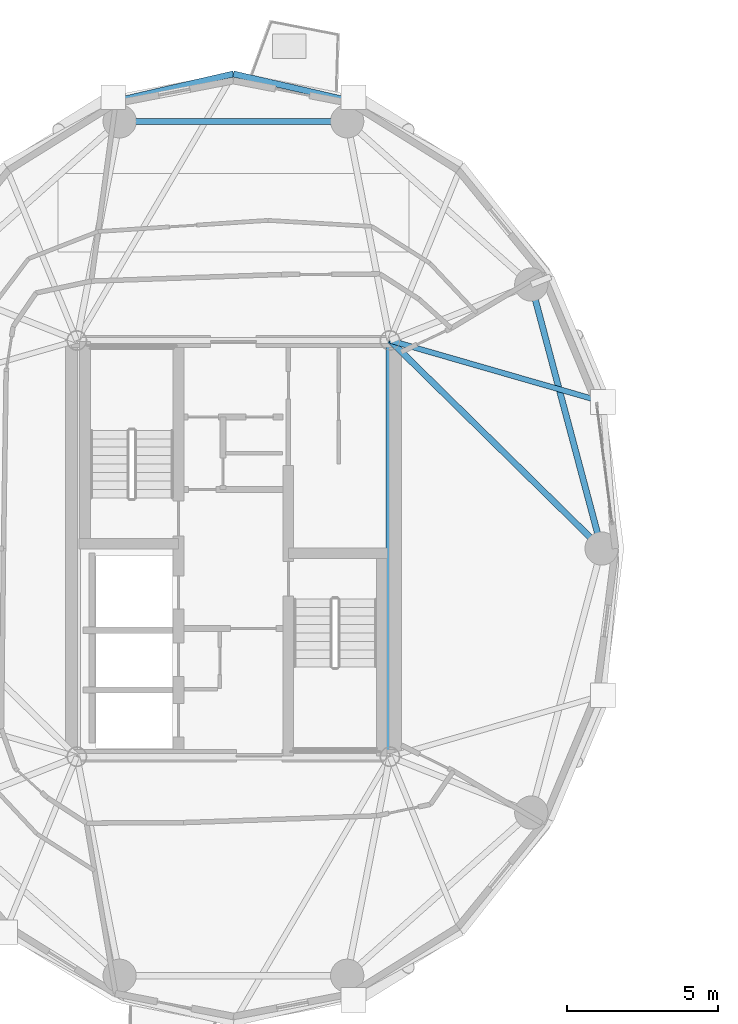
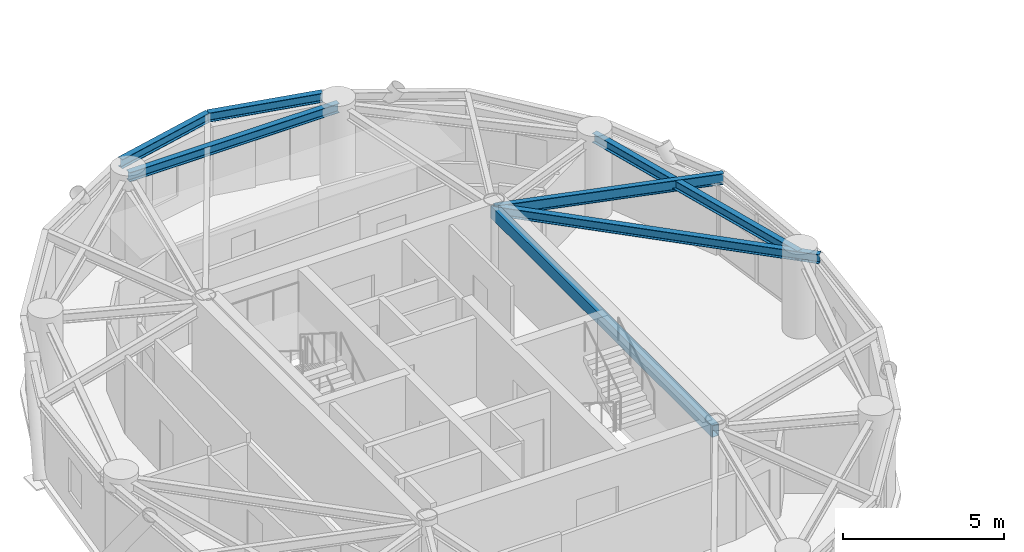
# One storey, part 2 of 16: 7 beams.
"""IFC4 building model written with IfcOpenShell, lengths in metres."""

from ifc_helpers import new_model, si_unit, direction, frame, origin, origin_2d, place, context, subcontext, project, spatial, hollow_rectangle, i_section, extrude, material, material_profile, profile_set, type_object, element, save


model = new_model("IFC4")

# Units and contexts
model_context = context("Model", 3, precision=1e-05, world=origin(), true_north=direction((0.0, 1.0)))
body_context = subcontext(model_context, "Body", "Model", "MODEL_VIEW")
ifc_project = project(units=[si_unit("LENGTHUNIT", "METRE"), si_unit("AREAUNIT", "SQUARE_METRE"), si_unit("VOLUMEUNIT", "CUBIC_METRE"), si_unit("PLANEANGLEUNIT", "RADIAN"), si_unit("MASSUNIT", "GRAM", prefix="KILO")], contexts=[model_context])

# Site, building, storey
site_placement = place(None, origin())
site = spatial("IfcSite", under=ifc_project, at=site_placement, CompositionType="ELEMENT")
building_placement = place(site_placement, origin())
building = spatial("IfcBuilding", under=site, at=building_placement, Name="Cununo Teusaquillo Station Towers", CompositionType="ELEMENT")
storey_placement = place(building_placement, frame((0.0, 0.0, 226.050048828125)))
storey = spatial("IfcBuildingStorey", under=building, at=storey_placement, Name="L72", CompositionType="ELEMENT", Elevation=226.050048828125)

# Beams
ifc_material_1 = material(Name="Steel EN 10025-2 S355J2", Category="steel")
ifc_material_profile_1 = material_profile(ifc_material_1, hollow_rectangle(XDim=0.25, YDim=0.449951171875, WallThickness=0.01611328125, at=origin_2d()), Name="RHS 450x250x16")
ifc_profile_set_1 = profile_set([ifc_material_profile_1], Name="Steel EN 10025-2 S355J2")
beam_type_1 = type_object("IfcBeamType", Name="BM-COUP-1", PredefinedType="USERDEFINED", material=ifc_profile_set_1)
beam_1_placement = place(storey_placement, frame((21.675048828125, 17.6201171875, 2.764892578125), z_axis=(0.0, 1.0, 0.0), x_axis=(-1.0, 0.0, 0.0)))
element("IfcBeam", 1, at=beam_1_placement, inside=storey, type_object=beam_type_1, Name="L72 Tower A Core Beam 2", ObjectType="COUPLING BEAM", PredefinedType="USERDEFINED", context=body_context, shape_type="SweptSolid", body=[
    extrude(hollow_rectangle(XDim=0.25, YDim=0.449951171875, WallThickness=0.01611328125, at=origin_2d()), origin(), (0.0, 0.0, 1.0), 13.759765625),
])
ifc_material_2 = material(Name="Steel ASTM A572 Grade 50", Category="steel")
ifc_material_profile_2 = material_profile(ifc_material_2, i_section(OverallWidth=0.180908203125, OverallDepth=0.4169921875, WebThickness=0.010986328125, FlangeThickness=0.018310546875, FilletRadius=0.012939453125, at=origin_2d()), Name="W16X57")
ifc_profile_set_2 = profile_set([ifc_material_profile_2], Name="Steel ASTM A572 Grade 50")
beam_type_2 = type_object("IfcBeamType", Name="BM-JOIST-1", PredefinedType="JOIST", material=ifc_profile_set_2)
beam_2_placement = place(storey_placement, frame((21.675048828125, 31.3798828125, 2.781494140625), z_axis=(0.960861603375, -0.277028841748, 0.0), x_axis=(0.277028841748, 0.960861603375, 0.0)))
element("IfcBeam", 2, at=beam_2_placement, inside=storey, type_object=beam_type_2, Name="L72 Tower A Radial Spandrel Joist V01", PredefinedType="JOIST", context=body_context, shape_type="SweptSolid", body=[
    extrude(i_section(OverallWidth=0.180908203125, OverallDepth=0.4169921875, WebThickness=0.010986328125, FlangeThickness=0.018310546875, FilletRadius=0.012939453125, at=origin_2d()), origin(), (0.0, 0.0, 1.0), 7.333251953125),
])
ifc_material_3 = material(Name="Steel ASTM A572 Grade 50", Category="steel")
ifc_material_profile_3 = material_profile(ifc_material_3, i_section(OverallWidth=0.2041015625, OverallDepth=0.35009765625, WebThickness=0.008544921875, FlangeThickness=0.01513671875, FilletRadius=0.011962890625, at=origin_2d()), Name="W14X48")
ifc_profile_set_3 = profile_set([ifc_material_profile_3], Name="Steel ASTM A572 Grade 50")
beam_type_3 = type_object("IfcBeamType", Name="BM-RAD-G3", PredefinedType="BEAM", material=ifc_profile_set_3)
beam_3_placement = place(storey_placement, frame((21.675048828125, 31.3798828125, 2.81494140625), z_axis=(0.713043510712, -0.701119784225, 0.0), x_axis=(0.701119784225, 0.713043510712, 0.0)))
element("IfcBeam", 3, at=beam_3_placement, inside=storey, type_object=beam_type_3, Name="L72 Tower A Continuous Overhanging Radial Girder 01", PredefinedType="BEAM", context=body_context, shape_type="SweptSolid", body=[
    extrude(i_section(OverallWidth=0.2041015625, OverallDepth=0.35009765625, WebThickness=0.008544921875, FlangeThickness=0.01513671875, FilletRadius=0.011962890625, at=origin_2d()), origin(), (0.0, 0.0, 1.0), 10.462890625),
])
ifc_material_4 = material(Name="Steel ASTM A572 Grade 50", Category="steel")
ifc_material_profile_4 = material_profile(ifc_material_4, i_section(OverallWidth=0.2041015625, OverallDepth=0.35009765625, WebThickness=0.008544921875, FlangeThickness=0.01513671875, FilletRadius=0.011962890625, at=origin_2d()), Name="W14X48")
ifc_profile_set_4 = profile_set([ifc_material_profile_4], Name="Steel ASTM A572 Grade 50")
beam_type_4 = type_object("IfcBeamType", Name="BM-RING-Z4", PredefinedType="SPANDREL", material=ifc_profile_set_4)
beam_4_placement = place(storey_placement, frame((28.672119140625, 24.5, 2.81494140625), z_axis=(-0.257363196347, 0.966314744359, 0.0), x_axis=(-0.966314744359, -0.257363196347, 0.0)))
element("IfcBeam", 4, at=beam_4_placement, inside=storey, type_object=beam_type_4, Name="L72 Tower A Structural Column Ring Girder 01", PredefinedType="SPANDREL", context=body_context, shape_type="SweptSolid", body=[
    extrude(i_section(OverallWidth=0.2041015625, OverallDepth=0.35009765625, WebThickness=0.008544921875, FlangeThickness=0.01513671875, FilletRadius=0.011962890625, at=origin_2d()), origin(), (0.0, 0.0, 1.0), 9.03271484375),
])
beam_5_placement = place(storey_placement, frame((20.261474609375, 38.623291015625, 2.81494140625), z_axis=(-1.0, 0.0, 0.0), x_axis=(0.0, -1.0, 0.0)))
element("IfcBeam", 5, at=beam_5_placement, inside=storey, type_object=beam_type_4, Name="L72 Tower A Structural Column Ring Girder 03", PredefinedType="SPANDREL", context=body_context, shape_type="SweptSolid", body=[
    extrude(i_section(OverallWidth=0.2041015625, OverallDepth=0.35009765625, WebThickness=0.008544921875, FlangeThickness=0.01513671875, FilletRadius=0.011962890625, at=origin_2d()), origin(), (0.0, 0.0, 1.0), 7.52294921875),
])
for number, where, z_axis, x_axis, name in (
    (6, (20.118896484375, 39.353515625, 2.81494140625), (-0.97431470066, 0.225190728224, 0.0), (-0.225190728224, -0.97431470066, 0.0), "L72 Tower A Spandrel Ring Beam 05"),
    (7, (16.5, 40.18994140625, 2.81494140625), (-0.97431470066, -0.225190728224, 0.0), (0.225190728224, -0.97431470066, 0.0), "L72 Tower A Spandrel Ring Beam 06"),
):
    element("IfcBeam", number, at=place(storey_placement, frame(where, z_axis=z_axis, x_axis=x_axis)), inside=storey, type_object=beam_type_4, Name=name, PredefinedType="SPANDREL", context=body_context, shape_type="SweptSolid", body=[
        extrude(i_section(OverallWidth=0.2041015625, OverallDepth=0.35009765625, WebThickness=0.008544921875, FlangeThickness=0.01513671875, FilletRadius=0.011962890625, at=origin_2d()), origin(), (0.0, 0.0, 1.0), 3.71435546875),
    ])

save(model, "model.ifc")
